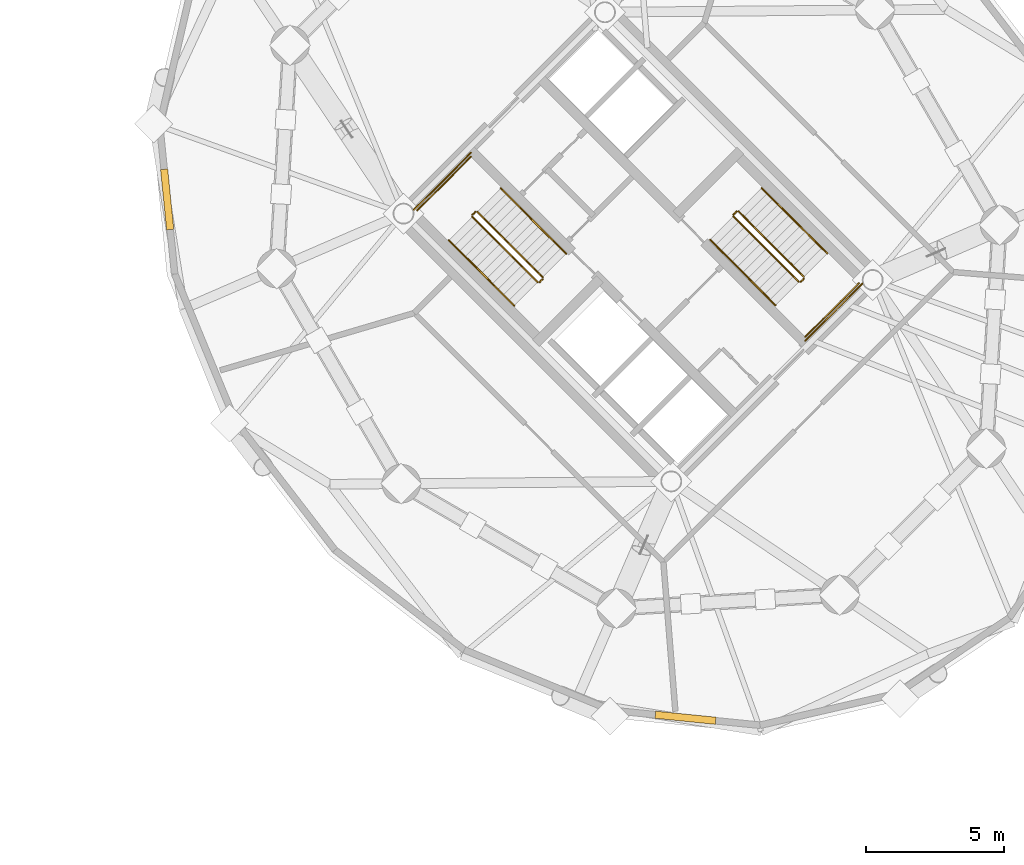
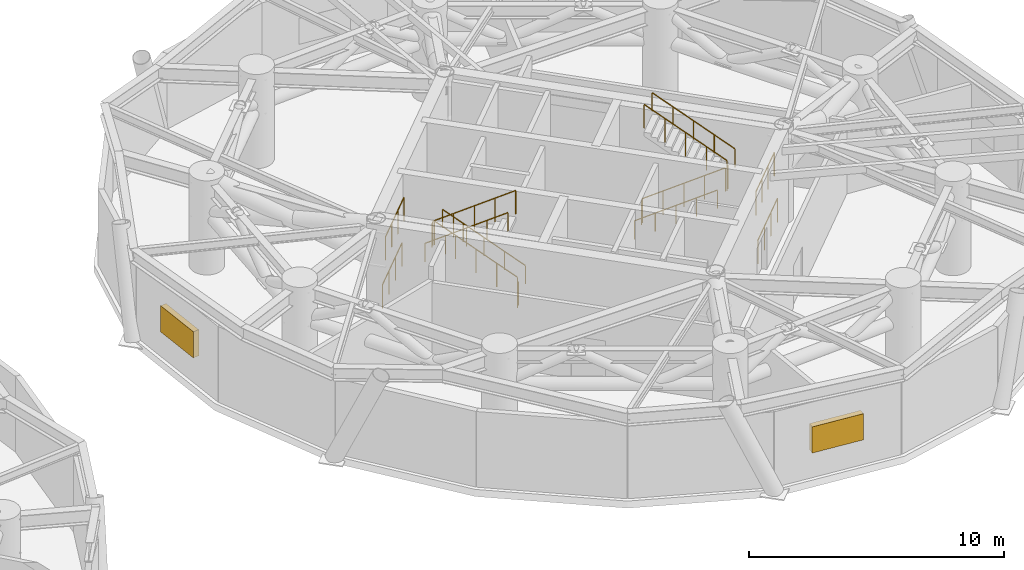
# One storey, part 15 of 16: 16 railings, 2 coverings.
"""IFC4 building model written with IfcOpenShell, lengths in metres."""

from ifc_helpers import new_model, si_unit, direction, frame, origin, origin_2d, place, context, subcontext, project, spatial, rectangle, circle, extrude, source, transform, mapped, material, type_object, element, save


model = new_model("IFC4")

# Units and contexts
model_context = context("Model", 3, precision=1e-05, world=origin(), true_north=direction((0.0, 1.0)))
body_context = subcontext(model_context, "Body", "Model", "MODEL_VIEW")
ifc_project = project(units=[si_unit("LENGTHUNIT", "METRE"), si_unit("AREAUNIT", "SQUARE_METRE"), si_unit("VOLUMEUNIT", "CUBIC_METRE"), si_unit("PLANEANGLEUNIT", "RADIAN"), si_unit("MASSUNIT", "GRAM", prefix="KILO")], contexts=[model_context])

# Site, building, storey
site_placement = place(None, origin())
site = spatial("IfcSite", under=ifc_project, at=site_placement, CompositionType="ELEMENT")
building_placement = place(site_placement, origin())
building = spatial("IfcBuilding", under=site, at=building_placement, Name="Cununo Teusaquillo Station Towers", CompositionType="ELEMENT")
storey_placement = place(building_placement, frame((0.0, 0.0, 65.64990234375)))
storey = spatial("IfcBuildingStorey", under=building, at=storey_placement, Name="L20", CompositionType="ELEMENT", Elevation=65.64990234375)

# Railings
ifc_material_1 = material(Name="Steel EN 10025-2 S355J2", Category="steel")
railing_type_1 = type_object("IfcRailingType", Name="RL-INT-GUARD", PredefinedType="GUARDRAIL", material=ifc_material_1)
railing_1_placement = place(storey_placement, frame((54.03515625, 23.39697265625, 0.173095703125)))
element("IfcRailing", 1, at=railing_1_placement, inside=storey, type_object=railing_type_1, Name="L20 ST-T2-1 stair guard 1", PredefinedType="GUARDRAIL", context=body_context, shape_type="SweptSolid", body=[
    extrude(circle(Radius=0.02392578125, at=origin_2d()), frame((0.0, 0.0, 1.1259765625), z_axis=(-0.601465884576, 0.601465884576, 0.525811353416), x_axis=(-0.707106781187, -0.707106781187, 0.0)), (0.0, 0.0, 1.0), 3.949951171875),
    extrude(circle(Radius=0.02099609375, at=origin_2d()), origin(), (0.0, 0.0, 1.0), 1.101806640625),
    extrude(circle(Radius=0.02099609375, at=origin_2d()), frame((-0.593994140625, 0.593994140625, 0.519287109375)), (0.0, 0.0, 1.0), 1.101806640625),
    extrude(circle(Radius=0.02099609375, at=origin_2d()), frame((-1.18798828125, 1.18798828125, 1.03857421875)), (0.0, 0.0, 1.0), 1.101806640625),
    extrude(circle(Radius=0.02099609375, at=origin_2d()), frame((-1.78173828125, 1.78173828125, 1.5576171875)), (0.0, 0.0, 1.0), 1.101806640625),
    extrude(circle(Radius=0.02099609375, at=origin_2d()), frame((-2.375732421875, 2.375732421875, 2.076904296875)), (0.0, 0.0, 1.0), 1.101806640625),
])
railing_2_placement = place(storey_placement, frame((51.588623046875, 25.772705078125, 2.25)))
element("IfcRailing", 2, at=railing_2_placement, inside=storey, type_object=railing_type_1, Name="L20 ST-T2-1 stair guard 2", PredefinedType="GUARDRAIL", context=body_context, shape_type="SweptSolid", body=[
    extrude(circle(Radius=0.02392578125, at=origin_2d()), frame((0.0, 0.0, 1.1259765625), z_axis=(-0.707106781187, -0.707106781187, 0.0), x_axis=(0.707106781187, -0.707106781187, 0.0)), (0.0, 0.0, 1.0), 0.159912109375),
    extrude(circle(Radius=0.02099609375, at=origin_2d()), origin(), (0.0, 0.0, 1.0), 1.101806640625),
    extrude(circle(Radius=0.02099609375, at=origin_2d()), frame((-0.113037109375, -0.113037109375, 0.0)), (0.0, 0.0, 1.0), 1.101806640625),
])
railing_3_placement = place(storey_placement, frame((51.426025390625, 27.77392578125, 2.25)))
element("IfcRailing", 3, at=railing_3_placement, inside=storey, type_object=railing_type_1, Name="L20 ST-T2-1 stair guard 3", PredefinedType="GUARDRAIL", context=body_context, shape_type="SweptSolid", body=[
    extrude(circle(Radius=0.02392578125, at=origin_2d()), frame((0.0, 0.0, 1.1259765625), z_axis=(-0.707106781187, -0.707106781187, 0.0), x_axis=(0.707106781187, -0.707106781187, 0.0)), (0.0, 0.0, 1.0), 2.760009765625),
    extrude(circle(Radius=0.02099609375, at=origin_2d()), origin(), (0.0, 0.0, 1.0), 1.101806640625),
    extrude(circle(Radius=0.02099609375, at=origin_2d()), frame((-0.650634765625, -0.650634765625, 0.0)), (0.0, 0.0, 1.0), 1.101806640625),
    extrude(circle(Radius=0.02099609375, at=origin_2d()), frame((-1.301025390625, -1.301025390625, 0.0)), (0.0, 0.0, 1.0), 1.101806640625),
    extrude(circle(Radius=0.02099609375, at=origin_2d()), frame((-1.95166015625, -1.95166015625, 0.0)), (0.0, 0.0, 1.0), 1.101806640625),
])
railing_4_placement = place(storey_placement, frame((51.4755859375, 25.5888671875, 2.423095703125)))
element("IfcRailing", 4, at=railing_4_placement, inside=storey, type_object=railing_type_1, Name="L20 ST-T2-1 stair guard 4", PredefinedType="GUARDRAIL", context=body_context, shape_type="SweptSolid", body=[
    extrude(circle(Radius=0.02392578125, at=origin_2d()), frame((0.0, 0.0, 1.1259765625), z_axis=(0.601465884576, -0.601465884576, 0.525811353416), x_axis=(0.707106781187, 0.707106781187, 0.0)), (0.0, 0.0, 1.0), 3.949951171875),
    extrude(circle(Radius=0.02099609375, at=origin_2d()), origin(), (0.0, 0.0, 1.0), 1.101806640625),
    extrude(circle(Radius=0.02099609375, at=origin_2d()), frame((0.593994140625, -0.593994140625, 0.519287109375)), (0.0, 0.0, 1.0), 1.101806640625),
    extrude(circle(Radius=0.02099609375, at=origin_2d()), frame((1.18798828125, -1.18798828125, 1.03857421875)), (0.0, 0.0, 1.0), 1.101806640625),
    extrude(circle(Radius=0.02099609375, at=origin_2d()), frame((1.78173828125, -1.78173828125, 1.5576171875)), (0.0, 0.0, 1.0), 1.101806640625),
    extrude(circle(Radius=0.02099609375, at=origin_2d()), frame((2.375732421875, -2.375732421875, 2.076904296875)), (0.0, 0.0, 1.0), 1.101806640625),
])
railing_5_placement = place(storey_placement, frame((54.03515625, 23.326171875, 0.0)))
element("IfcRailing", 5, at=railing_5_placement, inside=storey, type_object=railing_type_1, Name="L20 ST-T2-1 stair guard 5", PredefinedType="GUARDRAIL", context=body_context, shape_type="SweptSolid", body=[
    extrude(circle(Radius=0.02392578125, at=origin_2d()), frame((0.0, 0.0, 1.1259765625), z_axis=(-0.707106781187, -0.707106781187, 0.0), x_axis=(0.707106781187, -0.707106781187, 0.0)), (0.0, 0.0, 1.0), 0.159912109375),
    extrude(circle(Radius=0.02099609375, at=origin_2d()), origin(), (0.0, 0.0, 1.0), 1.101806640625),
    extrude(circle(Radius=0.02099609375, at=origin_2d()), frame((-0.113037109375, -0.113037109375, 0.0)), (0.0, 0.0, 1.0), 1.101806640625),
])
railing_6_placement = place(storey_placement, frame((51.426025390625, 27.915283203125, 0.0)))
element("IfcRailing", 6, at=railing_6_placement, inside=storey, type_object=railing_type_1, Name="L20 ST-T2-1 stair guard 6", PredefinedType="GUARDRAIL", context=body_context, shape_type="SweptSolid", body=[
    extrude(circle(Radius=0.02392578125, at=origin_2d()), frame((0.0, 0.0, 1.1259765625), z_axis=(-0.707106781187, -0.707106781187, 0.0), x_axis=(0.707106781187, -0.707106781187, 0.0)), (0.0, 0.0, 1.0), 2.9599609375),
    extrude(circle(Radius=0.02099609375, at=origin_2d()), origin(), (0.0, 0.0, 1.0), 1.101806640625),
    extrude(circle(Radius=0.02099609375, at=origin_2d()), frame((-0.69775390625, -0.69775390625, 0.0)), (0.0, 0.0, 1.0), 1.101806640625),
    extrude(circle(Radius=0.02099609375, at=origin_2d()), frame((-1.395263671875, -1.395263671875, 0.0)), (0.0, 0.0, 1.0), 1.101806640625),
    extrude(circle(Radius=0.02099609375, at=origin_2d()), frame((-2.093017578125, -2.093017578125, 0.0)), (0.0, 0.0, 1.0), 1.101806640625),
])
railing_7_placement = place(storey_placement, frame((60.96484375, 25.60302734375, 0.173095703125)))
element("IfcRailing", 7, at=railing_7_placement, inside=storey, type_object=railing_type_1, Name="L20 ST-T2-2 stair guard 1", PredefinedType="GUARDRAIL", context=body_context, shape_type="SweptSolid", body=[
    extrude(circle(Radius=0.02392578125, at=origin_2d()), frame((0.0, 0.0, 1.1259765625), z_axis=(0.601465884576, -0.601465884576, 0.525811353416), x_axis=(0.707106781187, 0.707106781187, 0.0)), (0.0, 0.0, 1.0), 3.949951171875),
    extrude(circle(Radius=0.02099609375, at=origin_2d()), origin(), (0.0, 0.0, 1.0), 1.101806640625),
    extrude(circle(Radius=0.02099609375, at=origin_2d()), frame((0.593994140625, -0.593994140625, 0.519287109375)), (0.0, 0.0, 1.0), 1.101806640625),
    extrude(circle(Radius=0.02099609375, at=origin_2d()), frame((1.18798828125, -1.18798828125, 1.03857421875)), (0.0, 0.0, 1.0), 1.101806640625),
    extrude(circle(Radius=0.02099609375, at=origin_2d()), frame((1.78173828125, -1.78173828125, 1.5576171875)), (0.0, 0.0, 1.0), 1.101806640625),
    extrude(circle(Radius=0.02099609375, at=origin_2d()), frame((2.375732421875, -2.375732421875, 2.076904296875)), (0.0, 0.0, 1.0), 1.101806640625),
])
railing_8_placement = place(storey_placement, frame((63.411376953125, 23.227294921875, 2.25)))
element("IfcRailing", 8, at=railing_8_placement, inside=storey, type_object=railing_type_1, Name="L20 ST-T2-2 stair guard 2", PredefinedType="GUARDRAIL", context=body_context, shape_type="SweptSolid", body=[
    extrude(circle(Radius=0.02392578125, at=origin_2d()), frame((0.0, 0.0, 1.1259765625), z_axis=(0.707106781187, 0.707106781187, 0.0), x_axis=(-0.707106781187, 0.707106781187, 0.0)), (0.0, 0.0, 1.0), 0.159912109375),
    extrude(circle(Radius=0.02099609375, at=origin_2d()), origin(), (0.0, 0.0, 1.0), 1.101806640625),
    extrude(circle(Radius=0.02099609375, at=origin_2d()), frame((0.113037109375, 0.113037109375, 0.0)), (0.0, 0.0, 1.0), 1.101806640625),
])
railing_9_placement = place(storey_placement, frame((63.573974609375, 21.22607421875, 2.25)))
element("IfcRailing", 9, at=railing_9_placement, inside=storey, type_object=railing_type_1, Name="L20 ST-T2-2 stair guard 3", PredefinedType="GUARDRAIL", context=body_context, shape_type="SweptSolid", body=[
    extrude(circle(Radius=0.02392578125, at=origin_2d()), frame((0.0, 0.0, 1.1259765625), z_axis=(0.707106781187, 0.707106781187, 0.0), x_axis=(-0.707106781187, 0.707106781187, 0.0)), (0.0, 0.0, 1.0), 2.760009765625),
    extrude(circle(Radius=0.02099609375, at=origin_2d()), origin(), (0.0, 0.0, 1.0), 1.101806640625),
    extrude(circle(Radius=0.02099609375, at=origin_2d()), frame((0.650634765625, 0.650634765625, 0.0)), (0.0, 0.0, 1.0), 1.101806640625),
    extrude(circle(Radius=0.02099609375, at=origin_2d()), frame((1.301025390625, 1.301025390625, 0.0)), (0.0, 0.0, 1.0), 1.101806640625),
    extrude(circle(Radius=0.02099609375, at=origin_2d()), frame((1.95166015625, 1.95166015625, 0.0)), (0.0, 0.0, 1.0), 1.101806640625),
])
railing_10_placement = place(storey_placement, frame((63.5244140625, 23.4111328125, 2.423095703125)))
element("IfcRailing", 10, at=railing_10_placement, inside=storey, type_object=railing_type_1, Name="L20 ST-T2-2 stair guard 4", PredefinedType="GUARDRAIL", context=body_context, shape_type="SweptSolid", body=[
    extrude(circle(Radius=0.02392578125, at=origin_2d()), frame((0.0, 0.0, 1.1259765625), z_axis=(-0.601465884576, 0.601465884576, 0.525811353416), x_axis=(-0.707106781187, -0.707106781187, 0.0)), (0.0, 0.0, 1.0), 3.949951171875),
    extrude(circle(Radius=0.02099609375, at=origin_2d()), origin(), (0.0, 0.0, 1.0), 1.101806640625),
    extrude(circle(Radius=0.02099609375, at=origin_2d()), frame((-0.593994140625, 0.593994140625, 0.519287109375)), (0.0, 0.0, 1.0), 1.101806640625),
    extrude(circle(Radius=0.02099609375, at=origin_2d()), frame((-1.18798828125, 1.18798828125, 1.03857421875)), (0.0, 0.0, 1.0), 1.101806640625),
    extrude(circle(Radius=0.02099609375, at=origin_2d()), frame((-1.78173828125, 1.78173828125, 1.5576171875)), (0.0, 0.0, 1.0), 1.101806640625),
    extrude(circle(Radius=0.02099609375, at=origin_2d()), frame((-2.375732421875, 2.375732421875, 2.076904296875)), (0.0, 0.0, 1.0), 1.101806640625),
])
railing_11_placement = place(storey_placement, frame((60.96484375, 25.673828125, 0.0)))
element("IfcRailing", 11, at=railing_11_placement, inside=storey, type_object=railing_type_1, Name="L20 ST-T2-2 stair guard 5", PredefinedType="GUARDRAIL", context=body_context, shape_type="SweptSolid", body=[
    extrude(circle(Radius=0.02392578125, at=origin_2d()), frame((0.0, 0.0, 1.1259765625), z_axis=(0.707106781187, 0.707106781187, 0.0), x_axis=(-0.707106781187, 0.707106781187, 0.0)), (0.0, 0.0, 1.0), 0.159912109375),
    extrude(circle(Radius=0.02099609375, at=origin_2d()), origin(), (0.0, 0.0, 1.0), 1.101806640625),
    extrude(circle(Radius=0.02099609375, at=origin_2d()), frame((0.113037109375, 0.113037109375, 0.0)), (0.0, 0.0, 1.0), 1.101806640625),
])
railing_12_placement = place(storey_placement, frame((63.573974609375, 21.084716796875, 0.0)))
element("IfcRailing", 12, at=railing_12_placement, inside=storey, type_object=railing_type_1, Name="L20 ST-T2-2 stair guard 6", PredefinedType="GUARDRAIL", context=body_context, shape_type="SweptSolid", body=[
    extrude(circle(Radius=0.02392578125, at=origin_2d()), frame((0.0, 0.0, 1.1259765625), z_axis=(0.707106781187, 0.707106781187, 0.0), x_axis=(-0.707106781187, 0.707106781187, 0.0)), (0.0, 0.0, 1.0), 2.9599609375),
    extrude(circle(Radius=0.02099609375, at=origin_2d()), origin(), (0.0, 0.0, 1.0), 1.101806640625),
    extrude(circle(Radius=0.02099609375, at=origin_2d()), frame((0.69775390625, 0.69775390625, 0.0)), (0.0, 0.0, 1.0), 1.101806640625),
    extrude(circle(Radius=0.02099609375, at=origin_2d()), frame((1.395263671875, 1.395263671875, 0.0)), (0.0, 0.0, 1.0), 1.101806640625),
    extrude(circle(Radius=0.02099609375, at=origin_2d()), frame((2.093017578125, 2.093017578125, 0.0)), (0.0, 0.0, 1.0), 1.101806640625),
])
ifc_material_2 = material(Name="Steel EN 10025-2 S355J2", Category="steel")
railing_type_2 = type_object("IfcRailingType", Name="RL-INT-HRAIL", PredefinedType="HANDRAIL", material=ifc_material_2)
railing_13_placement = place(storey_placement, frame((54.8837890625, 24.245361328125, 0.173095703125)))
element("IfcRailing", 13, at=railing_13_placement, inside=storey, type_object=railing_type_2, Name="L20 ST-T2-1 stair handrail 1", PredefinedType="HANDRAIL", context=body_context, shape_type="SweptSolid", body=[
    extrude(circle(Radius=0.02392578125, at=origin_2d()), frame((0.0, 0.0, 0.8759765625), z_axis=(-0.601482971545, 0.601482971545, 0.525772260474), x_axis=(-0.707106781187, -0.707106781187, 0.0)), (0.0, 0.0, 1.0), 3.9501953125),
    extrude(circle(Radius=0.02099609375, at=origin_2d()), origin(), (0.0, 0.0, 1.0), 0.851806640625),
    extrude(circle(Radius=0.02099609375, at=origin_2d()), frame((-0.593994140625, 0.593994140625, 0.519287109375)), (0.0, 0.0, 1.0), 0.851806640625),
    extrude(circle(Radius=0.02099609375, at=origin_2d()), frame((-1.18798828125, 1.18798828125, 1.03857421875)), (0.0, 0.0, 1.0), 0.851806640625),
    extrude(circle(Radius=0.02099609375, at=origin_2d()), frame((-1.781982421875, 1.781982421875, 1.5576171875)), (0.0, 0.0, 1.0), 0.851806640625),
    extrude(circle(Radius=0.02099609375, at=origin_2d()), frame((-2.3759765625, 2.3759765625, 2.076904296875)), (0.0, 0.0, 1.0), 0.851806640625),
])
for number, where, name in (
    (14, (50.626953125, 24.740478515625, 2.423095703125), "L20 ST-T2-1 stair handrail 2"),
    (15, (60.1162109375, 24.754638671875, 0.173095703125), "L20 ST-T2-2 stair handrail 1"),
):
    element("IfcRailing", number, at=place(storey_placement, frame(where)), inside=storey, type_object=railing_type_2, Name=name, PredefinedType="HANDRAIL", context=body_context, shape_type="SweptSolid", body=[
        extrude(circle(Radius=0.02392578125, at=origin_2d()), frame((0.0, 0.0, 0.8759765625), z_axis=(0.601482971545, -0.601482971545, 0.525772260474), x_axis=(0.707106781187, 0.707106781187, 0.0)), (0.0, 0.0, 1.0), 3.9501953125),
        extrude(circle(Radius=0.02099609375, at=origin_2d()), origin(), (0.0, 0.0, 1.0), 0.851806640625),
        extrude(circle(Radius=0.02099609375, at=origin_2d()), frame((0.593994140625, -0.593994140625, 0.519287109375)), (0.0, 0.0, 1.0), 0.851806640625),
        extrude(circle(Radius=0.02099609375, at=origin_2d()), frame((1.18798828125, -1.18798828125, 1.03857421875)), (0.0, 0.0, 1.0), 0.851806640625),
        extrude(circle(Radius=0.02099609375, at=origin_2d()), frame((1.781982421875, -1.781982421875, 1.5576171875)), (0.0, 0.0, 1.0), 0.851806640625),
        extrude(circle(Radius=0.02099609375, at=origin_2d()), frame((2.3759765625, -2.3759765625, 2.076904296875)), (0.0, 0.0, 1.0), 0.851806640625),
    ])
railing_14_placement = place(storey_placement, frame((64.373046875, 24.259521484375, 2.423095703125)))
element("IfcRailing", 16, at=railing_14_placement, inside=storey, type_object=railing_type_2, Name="L20 ST-T2-2 stair handrail 2", PredefinedType="HANDRAIL", context=body_context, shape_type="SweptSolid", body=[
    extrude(circle(Radius=0.02392578125, at=origin_2d()), frame((0.0, 0.0, 0.8759765625), z_axis=(-0.601482971545, 0.601482971545, 0.525772260474), x_axis=(-0.707106781187, -0.707106781187, 0.0)), (0.0, 0.0, 1.0), 3.9501953125),
    extrude(circle(Radius=0.02099609375, at=origin_2d()), origin(), (0.0, 0.0, 1.0), 0.851806640625),
    extrude(circle(Radius=0.02099609375, at=origin_2d()), frame((-0.593994140625, 0.593994140625, 0.519287109375)), (0.0, 0.0, 1.0), 0.851806640625),
    extrude(circle(Radius=0.02099609375, at=origin_2d()), frame((-1.18798828125, 1.18798828125, 1.03857421875)), (0.0, 0.0, 1.0), 0.851806640625),
    extrude(circle(Radius=0.02099609375, at=origin_2d()), frame((-1.781982421875, 1.781982421875, 1.5576171875)), (0.0, 0.0, 1.0), 0.851806640625),
    extrude(circle(Radius=0.02099609375, at=origin_2d()), frame((-2.3759765625, 2.3759765625, 2.076904296875)), (0.0, 0.0, 1.0), 0.851806640625),
])

# Coverings
ifc_material_3 = material(Name="Anodised dark bronze aluminium EN AW-6063-T6", Category="aluminium")
covering_type = type_object("IfcCoveringType", Name="COV-LOUVRE-ACOUSTIC", PredefinedType="USERDEFINED", material=ifc_material_3)
shared_shape = source(origin(), body_context, "Body", "SweptSolid", [
    extrude(rectangle(XDim=2.199951171875, YDim=0.260009765625, at=origin_2d()), origin(), (0.0, 0.0, 1.0), 1.25),
])
for number, where, z_axis, x_axis, name in (
    (17, (40.3876953125, 26.222900390625, 1.18310546875), (0.0, 0.0, 1.0), (-0.100188061612, 0.994968518251, 0.0), "L20 Tower B Acoustic Plant Louvre C07"),
    (18, (59.222900390625, 7.3876953125, 1.18310546875), (0.0, 0.0, 1.0), (-0.994968518251, 0.100188061612, 0.0), "L20 Tower B Acoustic Plant Louvre C12"),
):
    element("IfcCovering", number, at=place(storey_placement, frame(where, z_axis=z_axis, x_axis=x_axis)), inside=storey, type_object=covering_type, Name=name, ObjectType="LOUVRE", PredefinedType="USERDEFINED", context=body_context, shape_type="MappedRepresentation", body=[
        mapped(shared_shape, transform((0.0, 0.0, 0.0), x_axis=(1.0, 0.0, 0.0), y_axis=(0.0, 1.0, 0.0), z_axis=(0.0, 0.0, 1.0), scale=1.0)),
    ])

save(model, "model.ifc")
